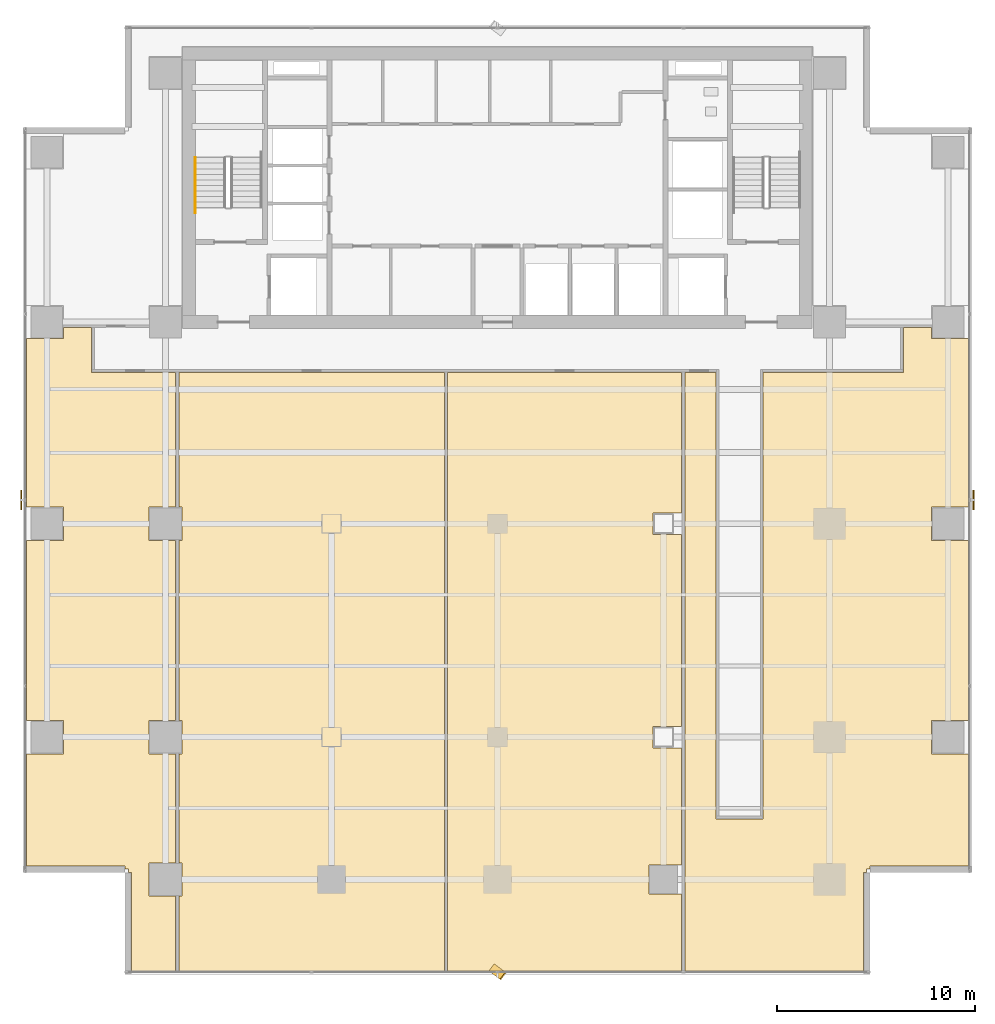
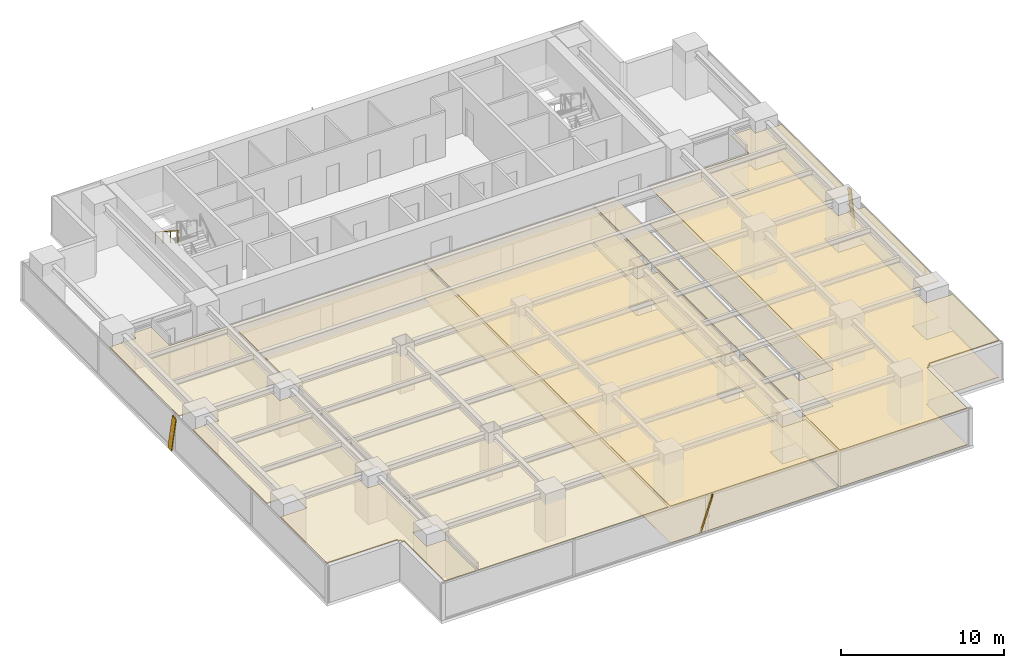
# One storey, part 23 of 27: 6 coverings, 3 shading devices, 1 railing.
"""IFC4 building model written with IfcOpenShell, lengths in metres."""

from ifc_helpers import new_model, si_unit, direction, frame, origin, origin_2d, place, context, subcontext, project, spatial, polyline, rectangle, outline, extrude, source, transform, mapped, material, layer, layer_set, material_profile, profile_set, type_object, element, save


model = new_model("IFC4")

# Units and contexts
model_context = context("Model", 3, precision=1e-05, world=origin(), true_north=direction((0.0, 1.0)))
body_context = subcontext(model_context, "Body", "Model", "MODEL_VIEW")
ifc_project = project(units=[si_unit("LENGTHUNIT", "METRE"), si_unit("AREAUNIT", "SQUARE_METRE"), si_unit("VOLUMEUNIT", "CUBIC_METRE"), si_unit("PLANEANGLEUNIT", "RADIAN"), si_unit("MASSUNIT", "GRAM", prefix="KILO")], contexts=[model_context])

# Site, building, storey
site_placement = place(None, origin())
site = spatial("IfcSite", under=ifc_project, at=site_placement, CompositionType="ELEMENT")
building_placement = place(site_placement, origin())
building = spatial("IfcBuilding", under=site, at=building_placement, Name="Sumidabori Civic Tower", CompositionType="ELEMENT")
storey_placement = place(building_placement, frame((0.0, 0.0, 142.39990234375)))
storey = spatial("IfcBuildingStorey", under=building, at=storey_placement, Name="L36", CompositionType="ELEMENT", Elevation=142.39990234375)

# Coverings
ifc_material_1 = material(Name="Gypsum Coffered Acoustic Ceiling")
ifc_layer_1 = layer(ifc_material_1, 0.06494140625, Name="Gypsum Coffered Acoustic Ceiling")
ifc_layer_set_1 = layer_set([ifc_layer_1], Name="Gypsum Coffered Acoustic Ceiling")
covering_type_1 = type_object("IfcCoveringType", Name="CV-CEIL-AC4", PredefinedType="CEILING", material=ifc_layer_set_1)
covering_1_placement = place(storey_placement, frame((0.0, 0.0, 2.72998046875)))
element("IfcCovering", 1, at=covering_1_placement, inside=storey, type_object=covering_type_1, Name="Room Acoustic Ceiling L36-02", PredefinedType="CEILING", context=body_context, shape_type="SweptSolid", body=[
    extrude(outline(polyline([(-21.9599609375, -11.639892578125), (-21.9599609375, -9.9599609375), (-23.830078125, -9.9599609375), (-23.830078125, -0.840087890625), (-21.9599609375, -0.840087890625), (-21.9599609375, 0.840087890625), (-23.830078125, 0.840087890625), (-23.830078125, 9.360107421875), (-21.9599609375, 9.360107421875), (-21.9599609375, 9.919921875), (-20.5400390625, 9.919921875), (-20.5400390625, 7.659912109375), (-16.280029296875, 7.659912109375), (-16.280029296875, 0.840087890625), (-17.639892578125, 0.840087890625), (-17.639892578125, -0.840087890625), (-16.280029296875, -0.840087890625), (-16.280029296875, -9.9599609375), (-17.639892578125, -9.9599609375), (-17.639892578125, -11.639892578125), (-16.280029296875, -11.639892578125), (-16.280029296875, -17.159912109375), (-17.639892578125, -17.159912109375), (-17.639892578125, -18.840087890625), (-16.280029296875, -18.840087890625), (-16.280029296875, -22.6298828125), (-18.52197265625, -22.6298828125), (-18.52197265625, -17.64208984375), (-18.679931640625, -17.64208984375), (-18.679931640625, -17.47998046875), (-18.842041015625, -17.47998046875), (-18.842041015625, -17.322021484375), (-23.830078125, -17.322021484375), (-23.830078125, -11.639892578125), (-21.9599609375, -11.639892578125)])), origin(), (0.0, 0.0, 1.0), 0.065185546875),
])
covering_2_placement = place(storey_placement, frame((0.0, 0.0, 2.72998046875)))
element("IfcCovering", 2, at=covering_2_placement, inside=storey, type_object=covering_type_1, Name="Room Acoustic Ceiling L36-03", PredefinedType="CEILING", context=body_context, shape_type="SweptSolid", body=[
    extrude(outline(polyline([(18.52197265625, -22.6298828125), (9.47998046875, -22.6298828125), (9.47998046875, 7.659912109375), (11.06005859375, 7.659912109375), (11.06005859375, -14.93994140625), (13.43994140625, -14.93994140625), (13.43994140625, 7.659912109375), (20.5400390625, 7.659912109375), (20.5400390625, 9.919921875), (21.9599609375, 9.919921875), (21.9599609375, 9.360107421875), (23.830078125, 9.360107421875), (23.830078125, 0.840087890625), (21.9599609375, 0.840087890625), (21.9599609375, -0.840087890625), (23.830078125, -0.840087890625), (23.830078125, -9.9599609375), (21.9599609375, -9.9599609375), (21.9599609375, -11.639892578125), (23.830078125, -11.639892578125), (23.830078125, -17.322021484375), (18.842041015625, -17.322021484375), (18.842041015625, -17.47998046875), (18.679931640625, -17.47998046875), (18.679931640625, -17.64208984375), (18.52197265625, -17.64208984375), (18.52197265625, -22.6298828125)])), origin(), (0.0, 0.0, 1.0), 0.065185546875),
])
covering_3_placement = place(storey_placement, frame((0.0, 0.0, 2.72998046875)))
element("IfcCovering", 3, at=covering_3_placement, inside=storey, type_object=covering_type_1, Name="Room Acoustic Ceiling L36-04", PredefinedType="CEILING", context=body_context, shape_type="SweptSolid", body=[
    extrude(outline(polyline([(-16.1201171875, -18.840087890625), (-15.9599609375, -18.840087890625), (-15.9599609375, -17.159912109375), (-16.1201171875, -17.159912109375), (-16.1201171875, -11.639892578125), (-15.9599609375, -11.639892578125), (-15.9599609375, -9.9599609375), (-16.1201171875, -9.9599609375), (-16.1201171875, -0.840087890625), (-15.9599609375, -0.840087890625), (-15.9599609375, 0.840087890625), (-16.1201171875, 0.840087890625), (-16.1201171875, 7.659912109375), (-2.679931640625, 7.659912109375), (-2.679931640625, -22.6298828125), (-16.1201171875, -22.6298828125), (-16.1201171875, -18.840087890625)])), origin(), (0.0, 0.0, 1.0), 0.065185546875),
])
covering_4_placement = place(storey_placement, frame((0.0, 0.0, 2.72998046875)))
element("IfcCovering", 4, at=covering_4_placement, inside=storey, type_object=covering_type_1, Name="Room Acoustic Ceiling L36-05", PredefinedType="CEILING", context=body_context, shape_type="SweptSolid", body=[
    extrude(outline(polyline([(-2.52001953125, -22.6298828125), (-2.52001953125, 7.659912109375), (9.320068359375, 7.659912109375), (9.320068359375, 0.5400390625), (7.860107421875, 0.5400390625), (7.860107421875, -0.5400390625), (9.320068359375, -0.5400390625), (9.320068359375, -10.260009765625), (7.860107421875, -10.260009765625), (7.860107421875, -11.340087890625), (9.320068359375, -11.340087890625), (9.320068359375, -17.260009765625), (7.659912109375, -17.260009765625), (7.659912109375, -18.739990234375), (9.320068359375, -18.739990234375), (9.320068359375, -22.6298828125), (-2.52001953125, -22.6298828125)])), origin(), (0.0, 0.0, 1.0), 0.065185546875),
])
ifc_material_2 = material(Name="Honed Terrazzo Tile Flooring")
ifc_layer_2 = layer(ifc_material_2, 0.030029296875, Name="Honed Terrazzo Tile Flooring")
ifc_layer_set_2 = layer_set([ifc_layer_2], Name="Honed Terrazzo Tile Flooring")
covering_type_2 = type_object("IfcCoveringType", Name="CV-FLR-TER", PredefinedType="FLOORING", material=ifc_layer_set_2)
covering_5_placement = place(storey_placement, origin())
element("IfcCovering", 5, at=covering_5_placement, inside=storey, type_object=covering_type_2, Name="Room Terrazzo Floor L36-03", PredefinedType="FLOORING", context=body_context, shape_type="SweptSolid", body=[
    extrude(outline(polyline([(18.52197265625, -22.6298828125), (9.47998046875, -22.6298828125), (9.47998046875, 7.659912109375), (11.06005859375, 7.659912109375), (11.06005859375, -14.93994140625), (13.43994140625, -14.93994140625), (13.43994140625, 7.659912109375), (20.5400390625, 7.659912109375), (20.5400390625, 9.919921875), (21.9599609375, 9.919921875), (21.9599609375, 9.360107421875), (23.830078125, 9.360107421875), (23.830078125, 0.840087890625), (21.9599609375, 0.840087890625), (21.9599609375, -0.840087890625), (23.830078125, -0.840087890625), (23.830078125, -9.9599609375), (21.9599609375, -9.9599609375), (21.9599609375, -11.639892578125), (23.830078125, -11.639892578125), (23.830078125, -17.322021484375), (18.842041015625, -17.322021484375), (18.842041015625, -17.47998046875), (18.679931640625, -17.47998046875), (18.679931640625, -17.64208984375), (18.52197265625, -17.64208984375), (18.52197265625, -22.6298828125)])), origin(), (0.0, 0.0, 1.0), 0.030029296875),
])
covering_6_placement = place(storey_placement, origin())
element("IfcCovering", 6, at=covering_6_placement, inside=storey, type_object=covering_type_2, Name="Room Terrazzo Floor L36-05", PredefinedType="FLOORING", context=body_context, shape_type="SweptSolid", body=[
    extrude(outline(polyline([(-2.52001953125, -22.6298828125), (-2.52001953125, 7.659912109375), (9.320068359375, 7.659912109375), (9.320068359375, 0.5400390625), (7.860107421875, 0.5400390625), (7.860107421875, -0.5400390625), (9.320068359375, -0.5400390625), (9.320068359375, -10.260009765625), (7.860107421875, -10.260009765625), (7.860107421875, -11.340087890625), (9.320068359375, -11.340087890625), (9.320068359375, -17.260009765625), (7.659912109375, -17.260009765625), (7.659912109375, -18.739990234375), (9.320068359375, -18.739990234375), (9.320068359375, -22.6298828125), (-2.52001953125, -22.6298828125)])), origin(), (0.0, 0.0, 1.0), 0.030029296875),
])

# Railing
ifc_material_3 = material(Name="Stainless Steel Hairline Finish", Category="steel")
railing_type = type_object("IfcRailingType", Name="RL-HANDRAIL", PredefinedType="HANDRAIL", material=ifc_material_3)
railing_placement = place(storey_placement, frame((-15.2900390625, 18.52001953125, 1.97998046875)))
element("IfcRailing", 7, at=railing_placement, inside=storey, type_object=railing_type, Name="L36 ST-1 stair handrail 2", PredefinedType="HANDRAIL", context=body_context, shape_type="SweptSolid", body=[
    extrude(rectangle(XDim=0.048095703125, YDim=0.048095703125, at=origin_2d()), frame((0.0, 0.0, 0.8759765625), z_axis=(0.0, -0.84064222762, 0.54159084662), x_axis=(1.0, 0.0, 0.0)), (0.0, 0.0, 1.0), 3.330810546875),
    extrude(rectangle(XDim=0.0419921875, YDim=0.0419921875, at=origin_2d()), origin(), (0.0, 0.0, 1.0), 0.851806640625),
    extrude(rectangle(XDim=0.0419921875, YDim=0.0419921875, at=origin_2d()), frame((0.0, -0.933349609375, 0.601318359375)), (0.0, 0.0, 1.0), 0.851806640625),
    extrude(rectangle(XDim=0.0419921875, YDim=0.0419921875, at=origin_2d()), frame((0.0, -1.86669921875, 1.20263671875)), (0.0, 0.0, 1.0), 0.851806640625),
    extrude(rectangle(XDim=0.0419921875, YDim=0.0419921875, at=origin_2d()), frame((0.0, -2.800048828125, 1.803955078125)), (0.0, 0.0, 1.0), 0.851806640625),
])

# Shading devices
ifc_material_4 = material(Name="Anodised Bronze Aluminium AW-6063-T6", Category="aluminium")
ifc_material_profile = material_profile(ifc_material_4, rectangle(XDim=0.06005859375, YDim=0.449951171875, at=origin_2d()), Name="BRONZE FIN 450x60")
ifc_profile_set = profile_set([ifc_material_profile], Name="Anodised Bronze Aluminium AW-6063-T6")
shading_device_type = type_object("IfcShadingDeviceType", Name="SH-FIN-450", PredefinedType="USERDEFINED", material=ifc_profile_set)
shared_shape_1 = source(origin(), body_context, "Body", "SweptSolid", [
    extrude(rectangle(XDim=0.06005859375, YDim=0.449951171875, at=origin_2d()), origin(), (0.0, 0.0, 1.0), 2.78955078125),
])
shading_device_placement = place(storey_placement, frame((-0.280029296875, -22.469970703125, 0.02001953125), z_axis=(0.20077712468, -0.150539082149, 0.968001307308), x_axis=(0.774482065205, -0.580692742874, -0.250945151476)))
element("IfcShadingDevice", 8, at=shading_device_placement, inside=storey, type_object=shading_device_type, Name="Bronze Anodised Diagonal Fin L36-02", ObjectType="FIN", PredefinedType="USERDEFINED", context=body_context, shape_type="MappedRepresentation", body=[
    mapped(shared_shape_1, transform((0.0, 0.0, 0.0), x_axis=(1.0, 0.0, 0.0), y_axis=(0.0, 1.0, 0.0), z_axis=(0.0, 0.0, 1.0), scale=1.0)),
])
shared_shape_2 = source(origin(), body_context, "Body", "SweptSolid", [
    extrude(rectangle(XDim=0.06005859375, YDim=0.449951171875, at=origin_2d()), origin(), (0.0, 0.0, 1.0), 2.757568359375),
])
for number, where, z_axis, x_axis, name in (
    (9, (24.090087890625, 0.919921875, 0.02001953125), (0.0, 0.203091544008, 0.979159754459), (-1.0, 0.0, 0.0), "Bronze Anodised Diagonal Fin L36-02"),
    (10, (-24.090087890625, 1.47998046875, 0.02001953125), (0.0, -0.203091544008, 0.979159754459), (-1.0, 0.0, 0.0), "Bronze Anodised Diagonal Fin L36-02"),
):
    element("IfcShadingDevice", number, at=place(storey_placement, frame(where, z_axis=z_axis, x_axis=x_axis)), inside=storey, type_object=shading_device_type, Name=name, ObjectType="FIN", PredefinedType="USERDEFINED", context=body_context, shape_type="MappedRepresentation", body=[
        mapped(shared_shape_2, transform((0.0, 0.0, 0.0), x_axis=(1.0, 0.0, 0.0), y_axis=(0.0, 1.0, 0.0), z_axis=(0.0, 0.0, 1.0), scale=1.0)),
    ])

save(model, "model.ifc")
